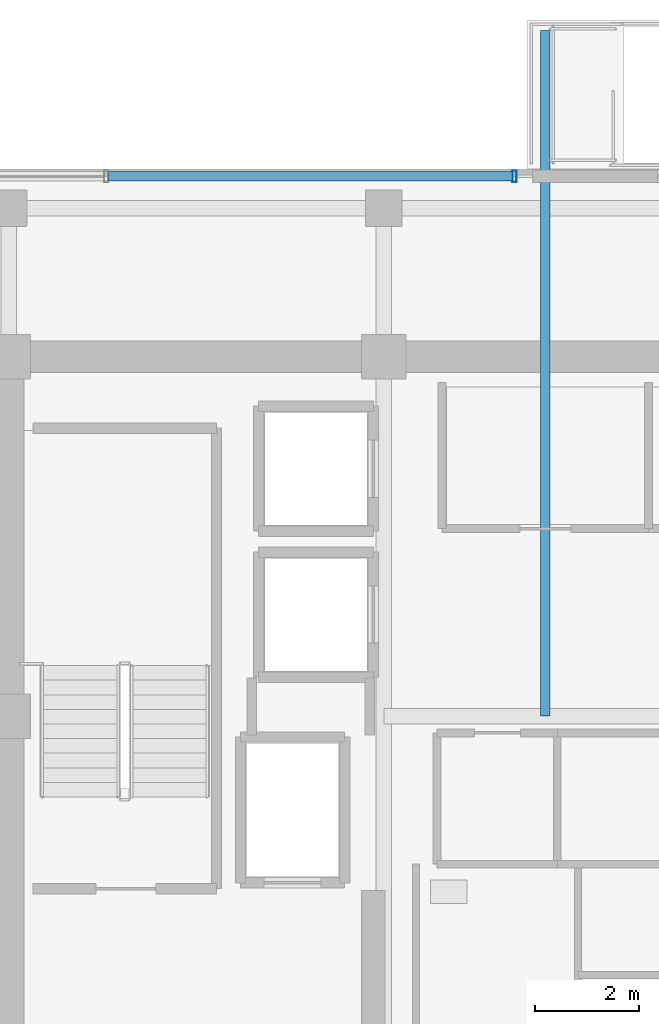
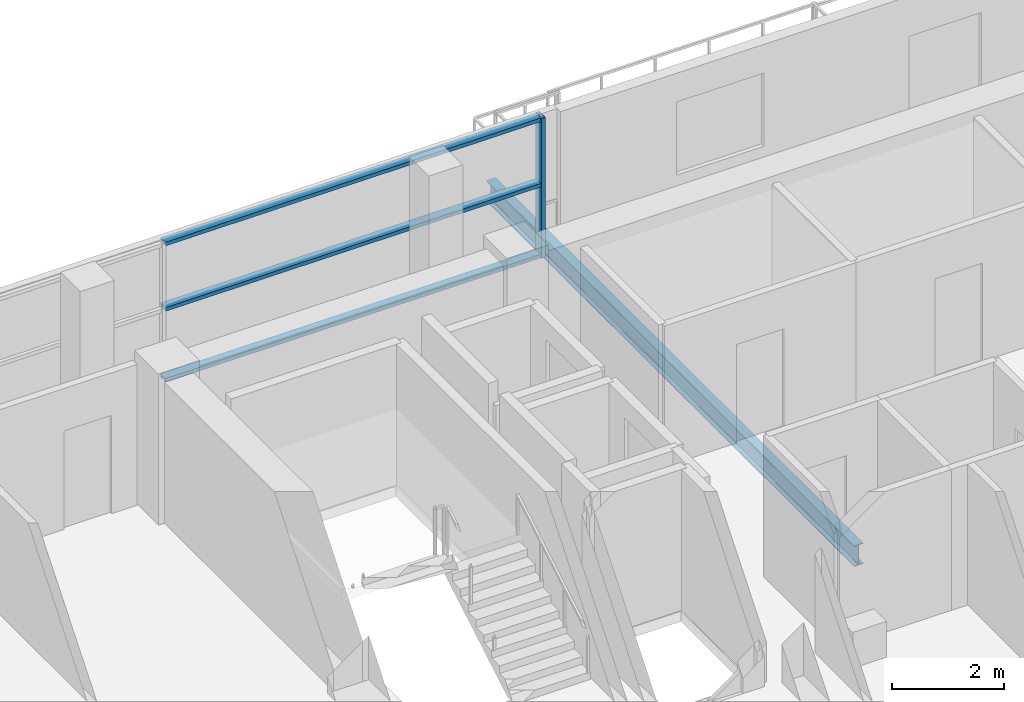
# One storey, part 12 of 24: 4 members, 1 beam, 1 element without a shape of its own.
"""IFC4 building model written with IfcOpenShell, lengths in metres."""

from ifc_helpers import new_model, si_unit, direction, frame, origin, origin_2d, place, context, subcontext, project, spatial, hollow_rectangle, i_section, extrude, source, transform, mapped, material, layer, layer_set, material_profile, profile_set, type_object, element, aggregate, save


model = new_model("IFC4")

# Units and contexts
model_context = context("Model", 3, precision=1e-05, world=origin(), true_north=direction((0.0, 1.0)))
body_context = subcontext(model_context, "Body", "Model", "MODEL_VIEW")
ifc_project = project(units=[si_unit("LENGTHUNIT", "METRE"), si_unit("AREAUNIT", "SQUARE_METRE"), si_unit("VOLUMEUNIT", "CUBIC_METRE"), si_unit("PLANEANGLEUNIT", "RADIAN"), si_unit("MASSUNIT", "GRAM", prefix="KILO")], contexts=[model_context])

# Site, building, storey
site_placement = place(None, origin())
site = spatial("IfcSite", under=ifc_project, at=site_placement, CompositionType="ELEMENT")
building_placement = place(site_placement, origin())
building = spatial("IfcBuilding", under=site, at=building_placement, Name="Zarnakvel Exchange Tower", CompositionType="ELEMENT")
storey_placement = place(building_placement, frame((0.0, 0.0, 208.89990234375)))
storey = spatial("IfcBuildingStorey", under=building, at=storey_placement, Name="L58", CompositionType="ELEMENT", Elevation=208.89990234375)

# Beam
ifc_material_1 = material(Name="Steel S355", Category="steel")
ifc_material_profile_1 = material_profile(ifc_material_1, i_section(OverallWidth=0.18994140625, OverallDepth=0.449951171875, WebThickness=0.009521484375, FlangeThickness=0.0146484375, FilletRadius=0.02099609375, at=origin_2d()))
ifc_profile_set_1 = profile_set([ifc_material_profile_1], Name="Steel S355")
beam_type = type_object("IfcBeamType", Name="B-05", PredefinedType="JOIST", material=ifc_profile_set_1)
beam_placement = place(storey_placement, frame((-4.10009765625, 6.60009765625, -0.474853515625), z_axis=(0.0, 1.0, 0.0), x_axis=(-1.0, 0.0, 0.0)))
element("IfcBeam", 1, at=beam_placement, inside=storey, type_object=beam_type, Name="L58 Continuous North Spiral Terrace Beam W", PredefinedType="JOIST", context=body_context, shape_type="SweptSolid", body=[
    extrude(i_section(OverallWidth=0.18994140625, OverallDepth=0.449951171875, WebThickness=0.009521484375, FlangeThickness=0.0146484375, FilletRadius=0.02099609375, at=origin_2d()), origin(), (0.0, 0.0, 1.0), 13.159912109375),
])

# Curtain wall, members
ifc_material_2 = material(Name="Architectural Bronze Anodised Aluminium", Category="aluminium")
ifc_layer = layer(ifc_material_2, 0.219970703125)
ifc_layer_set = layer_set([ifc_layer], Name="Architectural Bronze Anodised Aluminium")
curtain_wall_type = type_object("IfcCurtainWallType", Name="CW-03", PredefinedType="NOTDEFINED", material=ifc_layer_set)
curtain_wall_placement = place(storey_placement, origin())
curtain_wall = element("IfcCurtainWall", 2, at=curtain_wall_placement, inside=storey, type_object=curtain_wall_type, Name="L58 Curtain Wall CW-L58-N1 (CW-03)", PredefinedType="NOTDEFINED")
ifc_material_profile_2 = material_profile(ifc_material_2, hollow_rectangle(XDim=0.219970703125, YDim=0.080078125, WallThickness=0.0048828125, at=origin_2d()))
ifc_profile_set_2 = profile_set([ifc_material_profile_2], Name="Architectural Bronze Anodised Aluminium")
member_type_1 = type_object("IfcMemberType", Name="CWM-03", PredefinedType="MULLION", material=ifc_profile_set_2)
shared_shape_1 = source(origin(), body_context, "Body", "SweptSolid", [
    extrude(hollow_rectangle(XDim=0.219970703125, YDim=0.080078125, WallThickness=0.0048828125, at=origin_2d()), origin(), (0.0, 0.0, 1.0), 3.05517578125),
])
member_1_placement = place(storey_placement, frame((-4.68994140625, 16.9599609375, 0.0), z_axis=(0.0, 0.0, 1.0), x_axis=(0.0, 1.0, 0.0)))
member_1 = element("IfcMember", 3, at=member_1_placement, type_object=member_type_1, Name="CW-03 mullion 3", PredefinedType="MULLION", context=body_context, shape_type="MappedRepresentation", body=[
    mapped(shared_shape_1, transform((0.0, 0.0, 0.0), x_axis=(1.0, 0.0, 0.0), y_axis=(0.0, 1.0, 0.0), z_axis=(0.0, 0.0, 1.0), scale=1.0)),
])
ifc_material_profile_3 = material_profile(ifc_material_2, hollow_rectangle(XDim=0.179931640625, YDim=0.080078125, WallThickness=0.00390625, at=origin_2d()))
ifc_profile_set_3 = profile_set([ifc_material_profile_3], Name="Architectural Bronze Anodised Aluminium")
member_type_2 = type_object("IfcMemberType", Name="CWT-03", PredefinedType="USERDEFINED", material=ifc_profile_set_3)
shared_shape_2 = source(origin(), body_context, "Body", "SweptSolid", [
    extrude(hollow_rectangle(XDim=0.179931640625, YDim=0.080078125, WallThickness=0.00390625, at=origin_2d()), origin(), (0.0, 0.0, 1.0), 7.755126953125),
])
member_2_placement = place(storey_placement, frame((-12.485107421875, 16.9599609375, 0.0400390625), z_axis=(1.0, 0.0, 0.0), x_axis=(0.0, 1.0, 0.0)))
member_2 = element("IfcMember", 4, at=member_2_placement, type_object=member_type_2, Name="CW-03 transom 2.1", ObjectType="TRANSOM", PredefinedType="USERDEFINED", context=body_context, shape_type="MappedRepresentation", body=[
    mapped(shared_shape_2, transform((0.0, 0.0, 0.0), x_axis=(1.0, 0.0, 0.0), y_axis=(0.0, 1.0, 0.0), z_axis=(0.0, 0.0, 1.0), scale=1.0)),
])
member_3_placement = place(storey_placement, frame((-12.485107421875, 16.9599609375, 1.588623046875), z_axis=(1.0, 0.0, 0.0), x_axis=(0.0, 1.0, 0.0)))
member_3 = element("IfcMember", 5, at=member_3_placement, type_object=member_type_2, Name="CW-03 transom 2.2", ObjectType="TRANSOM", PredefinedType="USERDEFINED", context=body_context, shape_type="MappedRepresentation", body=[
    mapped(shared_shape_2, transform((0.0, 0.0, 0.0), x_axis=(1.0, 0.0, 0.0), y_axis=(0.0, 1.0, 0.0), z_axis=(0.0, 0.0, 1.0), scale=1.0)),
])
member_4_placement = place(storey_placement, frame((-12.485107421875, 16.9599609375, 3.01513671875), z_axis=(1.0, 0.0, 0.0), x_axis=(0.0, 1.0, 0.0)))
member_4 = element("IfcMember", 6, at=member_4_placement, type_object=member_type_2, Name="CW-03 transom 2.3", ObjectType="TRANSOM", PredefinedType="USERDEFINED", context=body_context, shape_type="MappedRepresentation", body=[
    mapped(shared_shape_2, transform((0.0, 0.0, 0.0), x_axis=(1.0, 0.0, 0.0), y_axis=(0.0, 1.0, 0.0), z_axis=(0.0, 0.0, 1.0), scale=1.0)),
])
aggregate(curtain_wall, [member_1, member_2, member_3, member_4])

save(model, "model.ifc")
